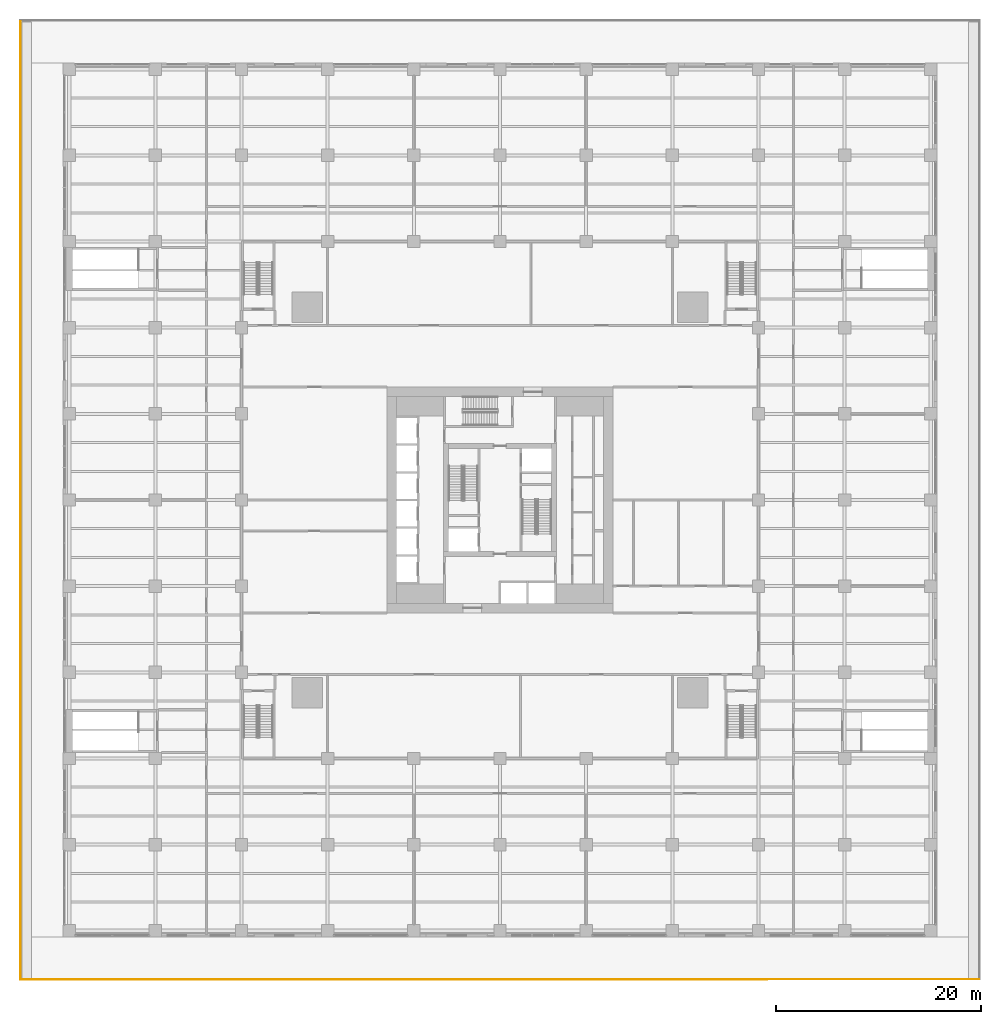
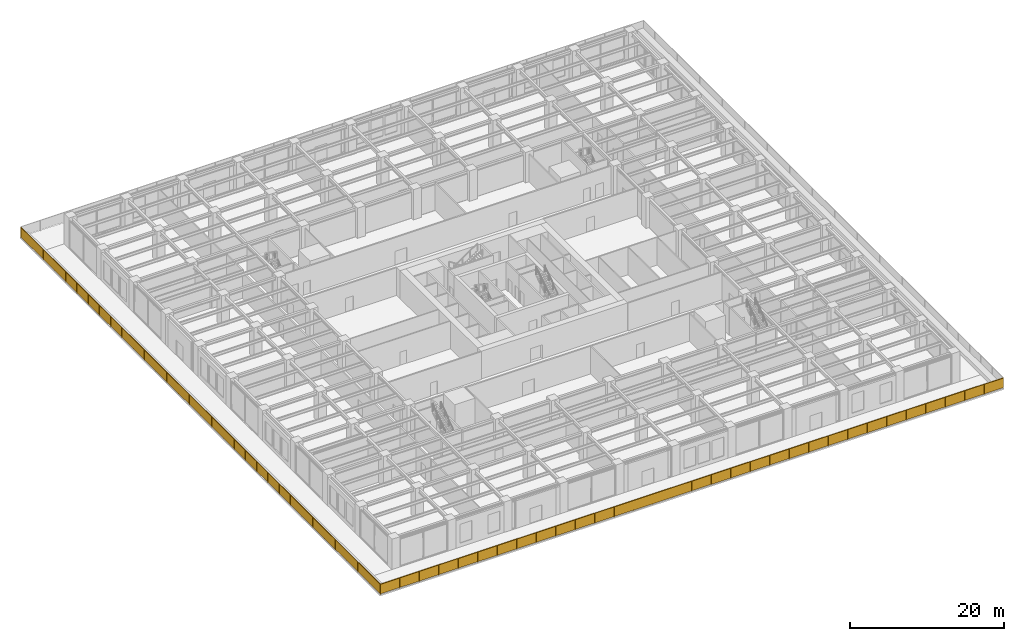
# One storey, part 47 of 53: 2 railings.
"""IFC4 building model written with IfcOpenShell, lengths in metres."""

import ifcopenshell
import ifcopenshell.guid

model = None  # the IFC model being written
_history = None  # IfcOwnerHistory: only IFC2X3 demands one
_inside = {}  # id of a spatial element -> (the spatial element, [elements in it])
_under = {}  # id of a project, library or spatial element -> (it, [spatial elements below it])
_declared = {}  # id of a project -> (the project, [libraries it declares])
_typed = {}  # id of a type object -> (the type object, [elements of that type])
_made_of = {}  # id of a material, layer set ... -> (it, [elements and type objects made of it])


def new_model(schema):
    """Start an empty IFC model of exactly this schema.

    Asked for "IFC4X3", IfcOpenShell would pick the latest addendum, in which some entities
    have other attributes; the version numbers below select the first issue.
    IFC2X3 requires an IfcOwnerHistory on every rooted entity: one is made here for all.
    """
    global model, _history
    if schema == "IFC4X3":
        model = ifcopenshell.file(schema_version=(4, 3, 0, 0))
    else:
        model = ifcopenshell.file(schema=schema)
    _inside.clear()
    _under.clear()
    _declared.clear()
    _typed.clear()
    _made_of.clear()
    _history = None
    if model.schema == "IFC2X3":
        org = make("IfcOrganization", Name="unknown")
        user = make(
            "IfcPersonAndOrganization",
            ThePerson=make("IfcPerson", FamilyName="unknown"),
            TheOrganization=org,
        )
        app = make(
            "IfcApplication",
            ApplicationDeveloper=org,
            Version="unknown",
            ApplicationFullName="unknown",
            ApplicationIdentifier="unknown",
        )
        _history = make(
            "IfcOwnerHistory",
            OwningUser=user,
            OwningApplication=app,
            ChangeAction="ADDED",
            CreationDate=0,
        )
    return model


def make(cls, **values):
    """One entity of the class cls with the attributes given. An attribute that is None is left unset."""
    return model.create_entity(
        cls, **{name: value for name, value in values.items() if value is not None}
    )


def rooted(cls, **values):
    """An entity with a GlobalId (a new one), such as an element, a storey or a relation."""
    return make(cls, GlobalId=ifcopenshell.guid.new(), OwnerHistory=_history, **values)


def si_unit(unit_type, name, prefix=None):
    """IfcSIUnit, for example si_unit("LENGTHUNIT", "METRE", prefix="MILLI")."""
    return make("IfcSIUnit", UnitType=unit_type, Prefix=prefix, Name=name)


def assignment(units):
    """IfcUnitAssignment: the units of a project."""
    return None if units is None else make("IfcUnitAssignment", Units=units)


def point(xyz):
    """IfcCartesianPoint."""
    return None if xyz is None else make("IfcCartesianPoint", Coordinates=xyz)


def direction(xyz):
    """IfcDirection."""
    return None if xyz is None else make("IfcDirection", DirectionRatios=xyz)


def frame(location, z_axis=None, x_axis=None):
    """IfcAxis2Placement3D, a coordinate frame: its origin and axes. An axis left out is left unset."""
    return make(
        "IfcAxis2Placement3D",
        Location=point(location),
        Axis=direction(z_axis),
        RefDirection=direction(x_axis),
    )


def frame_2d(location, x_axis=None):
    """IfcAxis2Placement2D, a coordinate frame in the plane: its origin and x axis."""
    return make(
        "IfcAxis2Placement2D", Location=point(location), RefDirection=direction(x_axis)
    )


def origin():
    """The frame at (0, 0, 0) with its axes left unset."""
    return frame((0.0, 0.0, 0.0))


def origin_2d():
    """The frame at (0, 0) in the plane with its x axis left unset."""
    return frame_2d((0.0, 0.0))


def place(relative_to, where):
    """IfcLocalPlacement: puts the frame where relative to a parent placement (None: the world)."""
    return make(
        "IfcLocalPlacement", PlacementRelTo=relative_to, RelativePlacement=where
    )


def context(
    kind, dimensions, precision=None, world=None, true_north=None, identifier=None
):
    """IfcGeometricRepresentationContext, for example the 3D "Model" context."""
    return make(
        "IfcGeometricRepresentationContext",
        ContextIdentifier=identifier,
        ContextType=kind,
        CoordinateSpaceDimension=dimensions,
        Precision=precision,
        WorldCoordinateSystem=world,
        TrueNorth=true_north,
    )


def subcontext(parent, identifier, kind, view, scale=None):
    """IfcGeometricRepresentationSubContext, for example "Body" below "Model"."""
    return make(
        "IfcGeometricRepresentationSubContext",
        ContextIdentifier=identifier,
        ContextType=kind,
        ParentContext=parent,
        TargetScale=scale,
        TargetView=view,
    )


def project(units=None, contexts=None):
    """IfcProject with its units and contexts."""
    return rooted(
        "IfcProject",
        Name="project",
        RepresentationContexts=contexts,
        UnitsInContext=assignment(units),
    )


def spatial(cls, under=None, at=None, **own):
    """A site, building, storey or space (cls), placed at a placement, below another one or the project."""
    s = rooted(cls, ObjectPlacement=at, **own)
    if under is not None:
        _under.setdefault(under.id(), (under, []))[1].append(s)
    return s


def profile(cls, at=None, kind="AREA", **sizes):
    """A parametric profile (cls). Its sizes go by their IFC names, for example OverallWidth=200.0."""
    return make(cls, ProfileType=kind, Position=at, **sizes)


def rectangle(**sizes):
    """IfcRectangleProfileDef."""
    return profile("IfcRectangleProfileDef", **sizes)


def extrude(swept, where, along, depth):
    """IfcExtrudedAreaSolid: the profile swept, set in the frame where, extruded along a direction by depth."""
    return make(
        "IfcExtrudedAreaSolid",
        SweptArea=swept,
        Position=where,
        ExtrudedDirection=direction(along),
        Depth=depth,
    )


def shape(context_of_items, identifier, shape_type, items):
    """IfcShapeRepresentation: the items that make up one representation, for example the "Body"."""
    return make(
        "IfcShapeRepresentation",
        ContextOfItems=context_of_items,
        RepresentationIdentifier=identifier,
        RepresentationType=shape_type,
        Items=items,
    )


def material(Name=None, Category=None):
    """IfcMaterial."""
    return make("IfcMaterial", Name=Name, Category=Category)


def made_of(thing, what):
    """Note that an element or type object is made of a material, layer set ...; save() writes the relation."""
    if what is not None:
        _made_of.setdefault(what.id(), (what, []))[1].append(thing)
    return thing


def type_object(cls, material=None, **own):
    """A type object (cls), such as IfcWallType, which elements share."""
    return made_of(rooted(cls, **own), material)


def element(
    cls,
    number,
    at=None,
    inside=None,
    cuts=None,
    type_object=None,
    material=None,
    context=None,
    identifier="Body",
    shape_type=None,
    held_by="IfcProductDefinitionShape",
    body=None,
    shapes=None,
    **own,
):
    """One element of the class cls, such as IfcWall. Its Tag is "e" and its number.

    at: its placement. inside: the storey or other place that contains it. cuts: it is an
    opening in that element (IfcRelVoidsElement). A single representation is given by context,
    identifier, shape_type and body (its items); several are given by shapes. held_by: the class
    of the entity that holds the representations. save() writes the other relations.
    """
    e = rooted(cls, Tag="e%d" % number, ObjectPlacement=at, **own)
    if body is not None:
        shapes = [shape(context, identifier, shape_type, body)]
    if shapes is not None:
        e.Representation = make(held_by, Representations=shapes)
    if inside is not None:
        _inside.setdefault(inside.id(), (inside, []))[1].append(e)
    if cuts is not None:
        rooted(
            "IfcRelVoidsElement", RelatingBuildingElement=cuts, RelatedOpeningElement=e
        )
    if type_object is not None:
        _typed.setdefault(type_object.id(), (type_object, []))[1].append(e)
    return made_of(e, material)


def aggregate(whole, parts):
    """IfcRelAggregates: a whole, such as a stair, and the parts it consists of."""
    return rooted("IfcRelAggregates", RelatingObject=whole, RelatedObjects=parts)


def save(model, path):
    """Write the relations noted so far, then the file.

    IfcRelAggregates (storeys below a building ...), IfcRelContainedInSpatialStructure (elements
    in a storey), IfcRelDefinesByType, IfcRelAssociatesMaterial and IfcRelDeclares: one each for
    every whole, place, type object, material and project.
    """
    for whole, parts in _under.values():
        aggregate(whole, parts)
    for where, things in _inside.values():
        rooted(
            "IfcRelContainedInSpatialStructure",
            RelatedElements=things,
            RelatingStructure=where,
        )
    for kind, things in _typed.values():
        rooted("IfcRelDefinesByType", RelatedObjects=things, RelatingType=kind)
    for what, things in _made_of.values():
        rooted("IfcRelAssociatesMaterial", RelatedObjects=things, RelatingMaterial=what)
    for by, libraries in _declared.values():
        rooted("IfcRelDeclares", RelatingContext=by, RelatedDefinitions=libraries)
    model.write(path)


model = new_model("IFC4")

# Units and contexts
model_context = context("Model", 3, precision=1e-05, world=origin(), true_north=direction((0.0, 1.0)))
body_context = subcontext(model_context, "Body", "Model", "MODEL_VIEW")
ifc_project = project(units=[si_unit("LENGTHUNIT", "METRE"), si_unit("AREAUNIT", "SQUARE_METRE"), si_unit("VOLUMEUNIT", "CUBIC_METRE"), si_unit("PLANEANGLEUNIT", "RADIAN"), si_unit("MASSUNIT", "GRAM", prefix="KILO")], contexts=[model_context])

# Site, building, storey
site_placement = place(None, origin())
site = spatial("IfcSite", under=ifc_project, at=site_placement, CompositionType="ELEMENT")
building_placement = place(site_placement, origin())
building = spatial("IfcBuilding", under=site, at=building_placement, Name="Khepri Terraces", CompositionType="ELEMENT")
storey_placement = place(building_placement, frame((0.0, 0.0, 7.199951171875)))
storey = spatial("IfcBuildingStorey", under=building, at=storey_placement, Name="L01", CompositionType="ELEMENT", Elevation=7.199951171875)

# Railings
ifc_material = material(Name="Stainless steel grade 316", Category="steel")
railing_type = type_object("IfcRailingType", Name="GRD-TERR-1700", PredefinedType="GUARDRAIL", material=ifc_material)
railing_1_placement = place(storey_placement, frame((46.75, -46.75, 0.0)))
element("IfcRailing", 1, at=railing_1_placement, inside=storey, type_object=railing_type, Name="Terrace guard L01", PredefinedType="GUARDRAIL", context=body_context, shape_type="SweptSolid", body=[
    extrude(rectangle(XDim=0.050048828125, YDim=0.06005859375, at=origin_2d()), frame((0.0, 0.0, 1.669921875), z_axis=(-1.0, 0.0, 0.0), x_axis=(0.0, -1.0, 0.0)), (0.0, 0.0, 1.0), 93.5),
    extrude(rectangle(XDim=2.871826171875, YDim=0.011962890625, at=origin_2d()), frame((-1.4609375, 0.0, 0.10009765625), z_axis=(0.0, 0.0, 1.0), x_axis=(-1.0, 0.0, 0.0)), (0.0, 0.0, 1.0), 1.539794921875),
    extrude(rectangle(XDim=2.871826171875, YDim=0.011962890625, at=origin_2d()), frame((-4.3828125, 0.0, 0.10009765625), z_axis=(0.0, 0.0, 1.0), x_axis=(-1.0, 0.0, 0.0)), (0.0, 0.0, 1.0), 1.539794921875),
    extrude(rectangle(XDim=2.871826171875, YDim=0.011962890625, at=origin_2d()), frame((-7.3046875, 0.0, 0.10009765625), z_axis=(0.0, 0.0, 1.0), x_axis=(-1.0, 0.0, 0.0)), (0.0, 0.0, 1.0), 1.539794921875),
    extrude(rectangle(XDim=2.871826171875, YDim=0.011962890625, at=origin_2d()), frame((-10.2265625, 0.0, 0.10009765625), z_axis=(0.0, 0.0, 1.0), x_axis=(-1.0, 0.0, 0.0)), (0.0, 0.0, 1.0), 1.539794921875),
    extrude(rectangle(XDim=2.871826171875, YDim=0.011962890625, at=origin_2d()), frame((-13.1484375, 0.0, 0.10009765625), z_axis=(0.0, 0.0, 1.0), x_axis=(-1.0, 0.0, 0.0)), (0.0, 0.0, 1.0), 1.539794921875),
    extrude(rectangle(XDim=2.871826171875, YDim=0.011962890625, at=origin_2d()), frame((-16.0703125, 0.0, 0.10009765625), z_axis=(0.0, 0.0, 1.0), x_axis=(-1.0, 0.0, 0.0)), (0.0, 0.0, 1.0), 1.539794921875),
    extrude(rectangle(XDim=2.871826171875, YDim=0.011962890625, at=origin_2d()), frame((-18.9921875, 0.0, 0.10009765625), z_axis=(0.0, 0.0, 1.0), x_axis=(-1.0, 0.0, 0.0)), (0.0, 0.0, 1.0), 1.539794921875),
    extrude(rectangle(XDim=2.871826171875, YDim=0.011962890625, at=origin_2d()), frame((-21.9140625, 0.0, 0.10009765625), z_axis=(0.0, 0.0, 1.0), x_axis=(-1.0, 0.0, 0.0)), (0.0, 0.0, 1.0), 1.539794921875),
    extrude(rectangle(XDim=2.871826171875, YDim=0.011962890625, at=origin_2d()), frame((-24.8359375, 0.0, 0.10009765625), z_axis=(0.0, 0.0, 1.0), x_axis=(-1.0, 0.0, 0.0)), (0.0, 0.0, 1.0), 1.539794921875),
    extrude(rectangle(XDim=2.871826171875, YDim=0.011962890625, at=origin_2d()), frame((-27.7578125, 0.0, 0.10009765625), z_axis=(0.0, 0.0, 1.0), x_axis=(-1.0, 0.0, 0.0)), (0.0, 0.0, 1.0), 1.539794921875),
    extrude(rectangle(XDim=2.871826171875, YDim=0.011962890625, at=origin_2d()), frame((-30.6796875, 0.0, 0.10009765625), z_axis=(0.0, 0.0, 1.0), x_axis=(-1.0, 0.0, 0.0)), (0.0, 0.0, 1.0), 1.539794921875),
    extrude(rectangle(XDim=2.871826171875, YDim=0.011962890625, at=origin_2d()), frame((-33.6015625, 0.0, 0.10009765625), z_axis=(0.0, 0.0, 1.0), x_axis=(-1.0, 0.0, 0.0)), (0.0, 0.0, 1.0), 1.539794921875),
    extrude(rectangle(XDim=2.871826171875, YDim=0.011962890625, at=origin_2d()), frame((-36.5234375, 0.0, 0.10009765625), z_axis=(0.0, 0.0, 1.0), x_axis=(-1.0, 0.0, 0.0)), (0.0, 0.0, 1.0), 1.539794921875),
    extrude(rectangle(XDim=2.871826171875, YDim=0.011962890625, at=origin_2d()), frame((-39.4453125, 0.0, 0.10009765625), z_axis=(0.0, 0.0, 1.0), x_axis=(-1.0, 0.0, 0.0)), (0.0, 0.0, 1.0), 1.539794921875),
    extrude(rectangle(XDim=2.871826171875, YDim=0.011962890625, at=origin_2d()), frame((-42.3671875, 0.0, 0.10009765625), z_axis=(0.0, 0.0, 1.0), x_axis=(-1.0, 0.0, 0.0)), (0.0, 0.0, 1.0), 1.539794921875),
    extrude(rectangle(XDim=2.871826171875, YDim=0.011962890625, at=origin_2d()), frame((-45.2890625, 0.0, 0.10009765625), z_axis=(0.0, 0.0, 1.0), x_axis=(-1.0, 0.0, 0.0)), (0.0, 0.0, 1.0), 1.539794921875),
    extrude(rectangle(XDim=2.871826171875, YDim=0.011962890625, at=origin_2d()), frame((-48.2109375, 0.0, 0.10009765625), z_axis=(0.0, 0.0, 1.0), x_axis=(-1.0, 0.0, 0.0)), (0.0, 0.0, 1.0), 1.539794921875),
    extrude(rectangle(XDim=2.871826171875, YDim=0.011962890625, at=origin_2d()), frame((-51.1328125, 0.0, 0.10009765625), z_axis=(0.0, 0.0, 1.0), x_axis=(-1.0, 0.0, 0.0)), (0.0, 0.0, 1.0), 1.539794921875),
    extrude(rectangle(XDim=2.871826171875, YDim=0.011962890625, at=origin_2d()), frame((-54.0546875, 0.0, 0.10009765625), z_axis=(0.0, 0.0, 1.0), x_axis=(-1.0, 0.0, 0.0)), (0.0, 0.0, 1.0), 1.539794921875),
    extrude(rectangle(XDim=2.871826171875, YDim=0.011962890625, at=origin_2d()), frame((-56.9765625, 0.0, 0.10009765625), z_axis=(0.0, 0.0, 1.0), x_axis=(-1.0, 0.0, 0.0)), (0.0, 0.0, 1.0), 1.539794921875),
    extrude(rectangle(XDim=2.871826171875, YDim=0.011962890625, at=origin_2d()), frame((-59.8984375, 0.0, 0.10009765625), z_axis=(0.0, 0.0, 1.0), x_axis=(-1.0, 0.0, 0.0)), (0.0, 0.0, 1.0), 1.539794921875),
    extrude(rectangle(XDim=2.871826171875, YDim=0.011962890625, at=origin_2d()), frame((-62.8203125, 0.0, 0.10009765625), z_axis=(0.0, 0.0, 1.0), x_axis=(-1.0, 0.0, 0.0)), (0.0, 0.0, 1.0), 1.539794921875),
    extrude(rectangle(XDim=2.871826171875, YDim=0.011962890625, at=origin_2d()), frame((-65.7421875, 0.0, 0.10009765625), z_axis=(0.0, 0.0, 1.0), x_axis=(-1.0, 0.0, 0.0)), (0.0, 0.0, 1.0), 1.539794921875),
    extrude(rectangle(XDim=2.871826171875, YDim=0.011962890625, at=origin_2d()), frame((-68.6640625, 0.0, 0.10009765625), z_axis=(0.0, 0.0, 1.0), x_axis=(-1.0, 0.0, 0.0)), (0.0, 0.0, 1.0), 1.539794921875),
    extrude(rectangle(XDim=2.871826171875, YDim=0.011962890625, at=origin_2d()), frame((-71.5859375, 0.0, 0.10009765625), z_axis=(0.0, 0.0, 1.0), x_axis=(-1.0, 0.0, 0.0)), (0.0, 0.0, 1.0), 1.539794921875),
    extrude(rectangle(XDim=2.871826171875, YDim=0.011962890625, at=origin_2d()), frame((-74.5078125, 0.0, 0.10009765625), z_axis=(0.0, 0.0, 1.0), x_axis=(-1.0, 0.0, 0.0)), (0.0, 0.0, 1.0), 1.539794921875),
    extrude(rectangle(XDim=2.871826171875, YDim=0.011962890625, at=origin_2d()), frame((-77.4296875, 0.0, 0.10009765625), z_axis=(0.0, 0.0, 1.0), x_axis=(-1.0, 0.0, 0.0)), (0.0, 0.0, 1.0), 1.539794921875),
    extrude(rectangle(XDim=2.871826171875, YDim=0.011962890625, at=origin_2d()), frame((-80.3515625, 0.0, 0.10009765625), z_axis=(0.0, 0.0, 1.0), x_axis=(-1.0, 0.0, 0.0)), (0.0, 0.0, 1.0), 1.539794921875),
    extrude(rectangle(XDim=2.871826171875, YDim=0.011962890625, at=origin_2d()), frame((-83.2734375, 0.0, 0.10009765625), z_axis=(0.0, 0.0, 1.0), x_axis=(-1.0, 0.0, 0.0)), (0.0, 0.0, 1.0), 1.539794921875),
    extrude(rectangle(XDim=2.871826171875, YDim=0.011962890625, at=origin_2d()), frame((-86.1953125, 0.0, 0.10009765625), z_axis=(0.0, 0.0, 1.0), x_axis=(-1.0, 0.0, 0.0)), (0.0, 0.0, 1.0), 1.539794921875),
    extrude(rectangle(XDim=2.871826171875, YDim=0.011962890625, at=origin_2d()), frame((-89.1171875, 0.0, 0.10009765625), z_axis=(0.0, 0.0, 1.0), x_axis=(-1.0, 0.0, 0.0)), (0.0, 0.0, 1.0), 1.539794921875),
    extrude(rectangle(XDim=2.871826171875, YDim=0.011962890625, at=origin_2d()), frame((-92.0390625, 0.0, 0.10009765625), z_axis=(0.0, 0.0, 1.0), x_axis=(-1.0, 0.0, 0.0)), (0.0, 0.0, 1.0), 1.539794921875),
    extrude(rectangle(XDim=0.050048828125, YDim=0.050048828125, at=origin_2d()), frame((-2.921875, 0.0, 0.0)), (0.0, 0.0, 1.0), 1.639892578125),
    extrude(rectangle(XDim=0.050048828125, YDim=0.050048828125, at=origin_2d()), frame((-5.84375, 0.0, 0.0)), (0.0, 0.0, 1.0), 1.639892578125),
    extrude(rectangle(XDim=0.050048828125, YDim=0.050048828125, at=origin_2d()), frame((-8.765625, 0.0, 0.0)), (0.0, 0.0, 1.0), 1.639892578125),
    extrude(rectangle(XDim=0.050048828125, YDim=0.050048828125, at=origin_2d()), frame((-11.6875, 0.0, 0.0)), (0.0, 0.0, 1.0), 1.639892578125),
    extrude(rectangle(XDim=0.050048828125, YDim=0.050048828125, at=origin_2d()), frame((-14.609375, 0.0, 0.0)), (0.0, 0.0, 1.0), 1.639892578125),
    extrude(rectangle(XDim=0.050048828125, YDim=0.050048828125, at=origin_2d()), frame((-17.53125, 0.0, 0.0)), (0.0, 0.0, 1.0), 1.639892578125),
    extrude(rectangle(XDim=0.050048828125, YDim=0.050048828125, at=origin_2d()), frame((-20.453125, 0.0, 0.0)), (0.0, 0.0, 1.0), 1.639892578125),
    extrude(rectangle(XDim=0.050048828125, YDim=0.050048828125, at=origin_2d()), frame((-23.375, 0.0, 0.0)), (0.0, 0.0, 1.0), 1.639892578125),
    extrude(rectangle(XDim=0.050048828125, YDim=0.050048828125, at=origin_2d()), frame((-26.296875, 0.0, 0.0)), (0.0, 0.0, 1.0), 1.639892578125),
    extrude(rectangle(XDim=0.050048828125, YDim=0.050048828125, at=origin_2d()), frame((-29.21875, 0.0, 0.0)), (0.0, 0.0, 1.0), 1.639892578125),
    extrude(rectangle(XDim=0.050048828125, YDim=0.050048828125, at=origin_2d()), frame((-32.140625, 0.0, 0.0)), (0.0, 0.0, 1.0), 1.639892578125),
    extrude(rectangle(XDim=0.050048828125, YDim=0.050048828125, at=origin_2d()), frame((-35.0625, 0.0, 0.0)), (0.0, 0.0, 1.0), 1.639892578125),
    extrude(rectangle(XDim=0.050048828125, YDim=0.050048828125, at=origin_2d()), frame((-37.984375, 0.0, 0.0)), (0.0, 0.0, 1.0), 1.639892578125),
    extrude(rectangle(XDim=0.050048828125, YDim=0.050048828125, at=origin_2d()), frame((-40.90625, 0.0, 0.0)), (0.0, 0.0, 1.0), 1.639892578125),
    extrude(rectangle(XDim=0.050048828125, YDim=0.050048828125, at=origin_2d()), frame((-43.828125, 0.0, 0.0)), (0.0, 0.0, 1.0), 1.639892578125),
    extrude(rectangle(XDim=0.050048828125, YDim=0.050048828125, at=origin_2d()), frame((-46.75, 0.0, 0.0)), (0.0, 0.0, 1.0), 1.639892578125),
    extrude(rectangle(XDim=0.050048828125, YDim=0.050048828125, at=origin_2d()), frame((-49.671875, 0.0, 0.0)), (0.0, 0.0, 1.0), 1.639892578125),
    extrude(rectangle(XDim=0.050048828125, YDim=0.050048828125, at=origin_2d()), frame((-52.59375, 0.0, 0.0)), (0.0, 0.0, 1.0), 1.639892578125),
    extrude(rectangle(XDim=0.050048828125, YDim=0.050048828125, at=origin_2d()), frame((-55.515625, 0.0, 0.0)), (0.0, 0.0, 1.0), 1.639892578125),
    extrude(rectangle(XDim=0.050048828125, YDim=0.050048828125, at=origin_2d()), frame((-58.4375, 0.0, 0.0)), (0.0, 0.0, 1.0), 1.639892578125),
    extrude(rectangle(XDim=0.050048828125, YDim=0.050048828125, at=origin_2d()), frame((-61.359375, 0.0, 0.0)), (0.0, 0.0, 1.0), 1.639892578125),
    extrude(rectangle(XDim=0.050048828125, YDim=0.050048828125, at=origin_2d()), frame((-64.28125, 0.0, 0.0)), (0.0, 0.0, 1.0), 1.639892578125),
    extrude(rectangle(XDim=0.050048828125, YDim=0.050048828125, at=origin_2d()), frame((-67.203125, 0.0, 0.0)), (0.0, 0.0, 1.0), 1.639892578125),
    extrude(rectangle(XDim=0.050048828125, YDim=0.050048828125, at=origin_2d()), frame((-70.125, 0.0, 0.0)), (0.0, 0.0, 1.0), 1.639892578125),
    extrude(rectangle(XDim=0.050048828125, YDim=0.050048828125, at=origin_2d()), frame((-73.046875, 0.0, 0.0)), (0.0, 0.0, 1.0), 1.639892578125),
    extrude(rectangle(XDim=0.050048828125, YDim=0.050048828125, at=origin_2d()), frame((-75.96875, 0.0, 0.0)), (0.0, 0.0, 1.0), 1.639892578125),
    extrude(rectangle(XDim=0.050048828125, YDim=0.050048828125, at=origin_2d()), frame((-78.890625, 0.0, 0.0)), (0.0, 0.0, 1.0), 1.639892578125),
    extrude(rectangle(XDim=0.050048828125, YDim=0.050048828125, at=origin_2d()), frame((-81.8125, 0.0, 0.0)), (0.0, 0.0, 1.0), 1.639892578125),
    extrude(rectangle(XDim=0.050048828125, YDim=0.050048828125, at=origin_2d()), frame((-84.734375, 0.0, 0.0)), (0.0, 0.0, 1.0), 1.639892578125),
    extrude(rectangle(XDim=0.050048828125, YDim=0.050048828125, at=origin_2d()), frame((-87.65625, 0.0, 0.0)), (0.0, 0.0, 1.0), 1.639892578125),
    extrude(rectangle(XDim=0.050048828125, YDim=0.050048828125, at=origin_2d()), frame((-90.578125, 0.0, 0.0)), (0.0, 0.0, 1.0), 1.639892578125),
    extrude(rectangle(XDim=0.050048828125, YDim=0.050048828125, at=origin_2d()), frame((-93.5, 0.0, 0.0)), (0.0, 0.0, 1.0), 1.639892578125),
])
railing_2_placement = place(storey_placement, frame((-46.75, -46.75, 0.0)))
element("IfcRailing", 2, at=railing_2_placement, inside=storey, type_object=railing_type, Name="Terrace guard L01", PredefinedType="GUARDRAIL", context=body_context, shape_type="SweptSolid", body=[
    extrude(rectangle(XDim=0.050048828125, YDim=0.06005859375, at=origin_2d()), frame((0.0, 0.0, 1.669921875), z_axis=(0.0, 1.0, 0.0), x_axis=(-1.0, 0.0, 0.0)), (0.0, 0.0, 1.0), 93.419921875),
    extrude(rectangle(XDim=2.869384765625, YDim=0.011962890625, at=origin_2d()), frame((0.0, 1.459716796875, 0.10009765625), z_axis=(0.0, 0.0, 1.0), x_axis=(0.0, 1.0, 0.0)), (0.0, 0.0, 1.0), 1.539794921875),
    extrude(rectangle(XDim=2.869384765625, YDim=0.011962890625, at=origin_2d()), frame((0.0, 4.379150390625, 0.10009765625), z_axis=(0.0, 0.0, 1.0), x_axis=(0.0, 1.0, 0.0)), (0.0, 0.0, 1.0), 1.539794921875),
    extrude(rectangle(XDim=2.869384765625, YDim=0.011962890625, at=origin_2d()), frame((0.0, 7.29833984375, 0.10009765625), z_axis=(0.0, 0.0, 1.0), x_axis=(0.0, 1.0, 0.0)), (0.0, 0.0, 1.0), 1.539794921875),
    extrude(rectangle(XDim=2.869384765625, YDim=0.011962890625, at=origin_2d()), frame((0.0, 10.2177734375, 0.10009765625), z_axis=(0.0, 0.0, 1.0), x_axis=(0.0, 1.0, 0.0)), (0.0, 0.0, 1.0), 1.539794921875),
    extrude(rectangle(XDim=2.869384765625, YDim=0.011962890625, at=origin_2d()), frame((0.0, 13.13720703125, 0.10009765625), z_axis=(0.0, 0.0, 1.0), x_axis=(0.0, 1.0, 0.0)), (0.0, 0.0, 1.0), 1.539794921875),
    extrude(rectangle(XDim=2.869384765625, YDim=0.011962890625, at=origin_2d()), frame((0.0, 16.056640625, 0.10009765625), z_axis=(0.0, 0.0, 1.0), x_axis=(0.0, 1.0, 0.0)), (0.0, 0.0, 1.0), 1.539794921875),
    extrude(rectangle(XDim=2.869384765625, YDim=0.011962890625, at=origin_2d()), frame((0.0, 18.975830078125, 0.10009765625), z_axis=(0.0, 0.0, 1.0), x_axis=(0.0, 1.0, 0.0)), (0.0, 0.0, 1.0), 1.539794921875),
    extrude(rectangle(XDim=2.869384765625, YDim=0.011962890625, at=origin_2d()), frame((0.0, 21.895263671875, 0.10009765625), z_axis=(0.0, 0.0, 1.0), x_axis=(0.0, 1.0, 0.0)), (0.0, 0.0, 1.0), 1.539794921875),
    extrude(rectangle(XDim=2.869384765625, YDim=0.011962890625, at=origin_2d()), frame((0.0, 24.814697265625, 0.10009765625), z_axis=(0.0, 0.0, 1.0), x_axis=(0.0, 1.0, 0.0)), (0.0, 0.0, 1.0), 1.539794921875),
    extrude(rectangle(XDim=2.869384765625, YDim=0.011962890625, at=origin_2d()), frame((0.0, 27.734130859375, 0.10009765625), z_axis=(0.0, 0.0, 1.0), x_axis=(0.0, 1.0, 0.0)), (0.0, 0.0, 1.0), 1.539794921875),
    extrude(rectangle(XDim=2.869384765625, YDim=0.011962890625, at=origin_2d()), frame((0.0, 30.6533203125, 0.10009765625), z_axis=(0.0, 0.0, 1.0), x_axis=(0.0, 1.0, 0.0)), (0.0, 0.0, 1.0), 1.539794921875),
    extrude(rectangle(XDim=2.869384765625, YDim=0.011962890625, at=origin_2d()), frame((0.0, 33.57275390625, 0.10009765625), z_axis=(0.0, 0.0, 1.0), x_axis=(0.0, 1.0, 0.0)), (0.0, 0.0, 1.0), 1.539794921875),
    extrude(rectangle(XDim=2.869384765625, YDim=0.011962890625, at=origin_2d()), frame((0.0, 36.4921875, 0.10009765625), z_axis=(0.0, 0.0, 1.0), x_axis=(0.0, 1.0, 0.0)), (0.0, 0.0, 1.0), 1.539794921875),
    extrude(rectangle(XDim=2.869384765625, YDim=0.011962890625, at=origin_2d()), frame((0.0, 39.41162109375, 0.10009765625), z_axis=(0.0, 0.0, 1.0), x_axis=(0.0, 1.0, 0.0)), (0.0, 0.0, 1.0), 1.539794921875),
    extrude(rectangle(XDim=2.869384765625, YDim=0.011962890625, at=origin_2d()), frame((0.0, 42.330810546875, 0.10009765625), z_axis=(0.0, 0.0, 1.0), x_axis=(0.0, 1.0, 0.0)), (0.0, 0.0, 1.0), 1.539794921875),
    extrude(rectangle(XDim=2.869384765625, YDim=0.011962890625, at=origin_2d()), frame((0.0, 45.250244140625, 0.10009765625), z_axis=(0.0, 0.0, 1.0), x_axis=(0.0, 1.0, 0.0)), (0.0, 0.0, 1.0), 1.539794921875),
    extrude(rectangle(XDim=2.869384765625, YDim=0.011962890625, at=origin_2d()), frame((0.0, 48.169677734375, 0.10009765625), z_axis=(0.0, 0.0, 1.0), x_axis=(0.0, 1.0, 0.0)), (0.0, 0.0, 1.0), 1.539794921875),
    extrude(rectangle(XDim=2.869384765625, YDim=0.011962890625, at=origin_2d()), frame((0.0, 51.089111328125, 0.10009765625), z_axis=(0.0, 0.0, 1.0), x_axis=(0.0, 1.0, 0.0)), (0.0, 0.0, 1.0), 1.539794921875),
    extrude(rectangle(XDim=2.869384765625, YDim=0.011962890625, at=origin_2d()), frame((0.0, 54.00830078125, 0.10009765625), z_axis=(0.0, 0.0, 1.0), x_axis=(0.0, 1.0, 0.0)), (0.0, 0.0, 1.0), 1.539794921875),
    extrude(rectangle(XDim=2.869384765625, YDim=0.011962890625, at=origin_2d()), frame((0.0, 56.927734375, 0.10009765625), z_axis=(0.0, 0.0, 1.0), x_axis=(0.0, 1.0, 0.0)), (0.0, 0.0, 1.0), 1.539794921875),
    extrude(rectangle(XDim=2.869384765625, YDim=0.011962890625, at=origin_2d()), frame((0.0, 59.84716796875, 0.10009765625), z_axis=(0.0, 0.0, 1.0), x_axis=(0.0, 1.0, 0.0)), (0.0, 0.0, 1.0), 1.539794921875),
    extrude(rectangle(XDim=2.869384765625, YDim=0.011962890625, at=origin_2d()), frame((0.0, 62.7666015625, 0.10009765625), z_axis=(0.0, 0.0, 1.0), x_axis=(0.0, 1.0, 0.0)), (0.0, 0.0, 1.0), 1.539794921875),
    extrude(rectangle(XDim=2.869384765625, YDim=0.011962890625, at=origin_2d()), frame((0.0, 65.685791015625, 0.10009765625), z_axis=(0.0, 0.0, 1.0), x_axis=(0.0, 1.0, 0.0)), (0.0, 0.0, 1.0), 1.539794921875),
    extrude(rectangle(XDim=2.869384765625, YDim=0.011962890625, at=origin_2d()), frame((0.0, 68.605224609375, 0.10009765625), z_axis=(0.0, 0.0, 1.0), x_axis=(0.0, 1.0, 0.0)), (0.0, 0.0, 1.0), 1.539794921875),
    extrude(rectangle(XDim=2.869384765625, YDim=0.011962890625, at=origin_2d()), frame((0.0, 71.524658203125, 0.10009765625), z_axis=(0.0, 0.0, 1.0), x_axis=(0.0, 1.0, 0.0)), (0.0, 0.0, 1.0), 1.539794921875),
    extrude(rectangle(XDim=2.869384765625, YDim=0.011962890625, at=origin_2d()), frame((0.0, 74.444091796875, 0.10009765625), z_axis=(0.0, 0.0, 1.0), x_axis=(0.0, 1.0, 0.0)), (0.0, 0.0, 1.0), 1.539794921875),
    extrude(rectangle(XDim=2.869384765625, YDim=0.011962890625, at=origin_2d()), frame((0.0, 77.36328125, 0.10009765625), z_axis=(0.0, 0.0, 1.0), x_axis=(0.0, 1.0, 0.0)), (0.0, 0.0, 1.0), 1.539794921875),
    extrude(rectangle(XDim=2.869384765625, YDim=0.011962890625, at=origin_2d()), frame((0.0, 80.28271484375, 0.10009765625), z_axis=(0.0, 0.0, 1.0), x_axis=(0.0, 1.0, 0.0)), (0.0, 0.0, 1.0), 1.539794921875),
    extrude(rectangle(XDim=2.869384765625, YDim=0.011962890625, at=origin_2d()), frame((0.0, 83.2021484375, 0.10009765625), z_axis=(0.0, 0.0, 1.0), x_axis=(0.0, 1.0, 0.0)), (0.0, 0.0, 1.0), 1.539794921875),
    extrude(rectangle(XDim=2.869384765625, YDim=0.011962890625, at=origin_2d()), frame((0.0, 86.12158203125, 0.10009765625), z_axis=(0.0, 0.0, 1.0), x_axis=(0.0, 1.0, 0.0)), (0.0, 0.0, 1.0), 1.539794921875),
    extrude(rectangle(XDim=2.869384765625, YDim=0.011962890625, at=origin_2d()), frame((0.0, 89.040771484375, 0.10009765625), z_axis=(0.0, 0.0, 1.0), x_axis=(0.0, 1.0, 0.0)), (0.0, 0.0, 1.0), 1.539794921875),
    extrude(rectangle(XDim=2.869384765625, YDim=0.011962890625, at=origin_2d()), frame((0.0, 91.960205078125, 0.10009765625), z_axis=(0.0, 0.0, 1.0), x_axis=(0.0, 1.0, 0.0)), (0.0, 0.0, 1.0), 1.539794921875),
    extrude(rectangle(XDim=0.050048828125, YDim=0.050048828125, at=origin_2d()), frame((0.0, 2.91943359375, 0.0)), (0.0, 0.0, 1.0), 1.639892578125),
    extrude(rectangle(XDim=0.050048828125, YDim=0.050048828125, at=origin_2d()), frame((0.0, 5.8388671875, 0.0)), (0.0, 0.0, 1.0), 1.639892578125),
    extrude(rectangle(XDim=0.050048828125, YDim=0.050048828125, at=origin_2d()), frame((0.0, 8.758056640625, 0.0)), (0.0, 0.0, 1.0), 1.639892578125),
    extrude(rectangle(XDim=0.050048828125, YDim=0.050048828125, at=origin_2d()), frame((0.0, 11.677490234375, 0.0)), (0.0, 0.0, 1.0), 1.639892578125),
    extrude(rectangle(XDim=0.050048828125, YDim=0.050048828125, at=origin_2d()), frame((0.0, 14.596923828125, 0.0)), (0.0, 0.0, 1.0), 1.639892578125),
    extrude(rectangle(XDim=0.050048828125, YDim=0.050048828125, at=origin_2d()), frame((0.0, 17.51611328125, 0.0)), (0.0, 0.0, 1.0), 1.639892578125),
    extrude(rectangle(XDim=0.050048828125, YDim=0.050048828125, at=origin_2d()), frame((0.0, 20.435546875, 0.0)), (0.0, 0.0, 1.0), 1.639892578125),
    extrude(rectangle(XDim=0.050048828125, YDim=0.050048828125, at=origin_2d()), frame((0.0, 23.35498046875, 0.0)), (0.0, 0.0, 1.0), 1.639892578125),
    extrude(rectangle(XDim=0.050048828125, YDim=0.050048828125, at=origin_2d()), frame((0.0, 26.2744140625, 0.0)), (0.0, 0.0, 1.0), 1.639892578125),
    extrude(rectangle(XDim=0.050048828125, YDim=0.050048828125, at=origin_2d()), frame((0.0, 29.19384765625, 0.0)), (0.0, 0.0, 1.0), 1.639892578125),
    extrude(rectangle(XDim=0.050048828125, YDim=0.050048828125, at=origin_2d()), frame((0.0, 32.113037109375, 0.0)), (0.0, 0.0, 1.0), 1.639892578125),
    extrude(rectangle(XDim=0.050048828125, YDim=0.050048828125, at=origin_2d()), frame((0.0, 35.032470703125, 0.0)), (0.0, 0.0, 1.0), 1.639892578125),
    extrude(rectangle(XDim=0.050048828125, YDim=0.050048828125, at=origin_2d()), frame((0.0, 37.951904296875, 0.0)), (0.0, 0.0, 1.0), 1.639892578125),
    extrude(rectangle(XDim=0.050048828125, YDim=0.050048828125, at=origin_2d()), frame((0.0, 40.87109375, 0.0)), (0.0, 0.0, 1.0), 1.639892578125),
    extrude(rectangle(XDim=0.050048828125, YDim=0.050048828125, at=origin_2d()), frame((0.0, 43.79052734375, 0.0)), (0.0, 0.0, 1.0), 1.639892578125),
    extrude(rectangle(XDim=0.050048828125, YDim=0.050048828125, at=origin_2d()), frame((0.0, 46.7099609375, 0.0)), (0.0, 0.0, 1.0), 1.639892578125),
    extrude(rectangle(XDim=0.050048828125, YDim=0.050048828125, at=origin_2d()), frame((0.0, 49.62939453125, 0.0)), (0.0, 0.0, 1.0), 1.639892578125),
    extrude(rectangle(XDim=0.050048828125, YDim=0.050048828125, at=origin_2d()), frame((0.0, 52.548828125, 0.0)), (0.0, 0.0, 1.0), 1.639892578125),
    extrude(rectangle(XDim=0.050048828125, YDim=0.050048828125, at=origin_2d()), frame((0.0, 55.468017578125, 0.0)), (0.0, 0.0, 1.0), 1.639892578125),
    extrude(rectangle(XDim=0.050048828125, YDim=0.050048828125, at=origin_2d()), frame((0.0, 58.387451171875, 0.0)), (0.0, 0.0, 1.0), 1.639892578125),
    extrude(rectangle(XDim=0.050048828125, YDim=0.050048828125, at=origin_2d()), frame((0.0, 61.306884765625, 0.0)), (0.0, 0.0, 1.0), 1.639892578125),
    extrude(rectangle(XDim=0.050048828125, YDim=0.050048828125, at=origin_2d()), frame((0.0, 64.22607421875, 0.0)), (0.0, 0.0, 1.0), 1.639892578125),
    extrude(rectangle(XDim=0.050048828125, YDim=0.050048828125, at=origin_2d()), frame((0.0, 67.1455078125, 0.0)), (0.0, 0.0, 1.0), 1.639892578125),
    extrude(rectangle(XDim=0.050048828125, YDim=0.050048828125, at=origin_2d()), frame((0.0, 70.06494140625, 0.0)), (0.0, 0.0, 1.0), 1.639892578125),
    extrude(rectangle(XDim=0.050048828125, YDim=0.050048828125, at=origin_2d()), frame((0.0, 72.984375, 0.0)), (0.0, 0.0, 1.0), 1.639892578125),
    extrude(rectangle(XDim=0.050048828125, YDim=0.050048828125, at=origin_2d()), frame((0.0, 75.90380859375, 0.0)), (0.0, 0.0, 1.0), 1.639892578125),
    extrude(rectangle(XDim=0.050048828125, YDim=0.050048828125, at=origin_2d()), frame((0.0, 78.822998046875, 0.0)), (0.0, 0.0, 1.0), 1.639892578125),
    extrude(rectangle(XDim=0.050048828125, YDim=0.050048828125, at=origin_2d()), frame((0.0, 81.742431640625, 0.0)), (0.0, 0.0, 1.0), 1.639892578125),
    extrude(rectangle(XDim=0.050048828125, YDim=0.050048828125, at=origin_2d()), frame((0.0, 84.661865234375, 0.0)), (0.0, 0.0, 1.0), 1.639892578125),
    extrude(rectangle(XDim=0.050048828125, YDim=0.050048828125, at=origin_2d()), frame((0.0, 87.5810546875, 0.0)), (0.0, 0.0, 1.0), 1.639892578125),
    extrude(rectangle(XDim=0.050048828125, YDim=0.050048828125, at=origin_2d()), frame((0.0, 90.50048828125, 0.0)), (0.0, 0.0, 1.0), 1.639892578125),
    extrude(rectangle(XDim=0.050048828125, YDim=0.050048828125, at=origin_2d()), frame((0.0, 93.419921875, 0.0)), (0.0, 0.0, 1.0), 1.639892578125),
])

save(model, "model.ifc")
